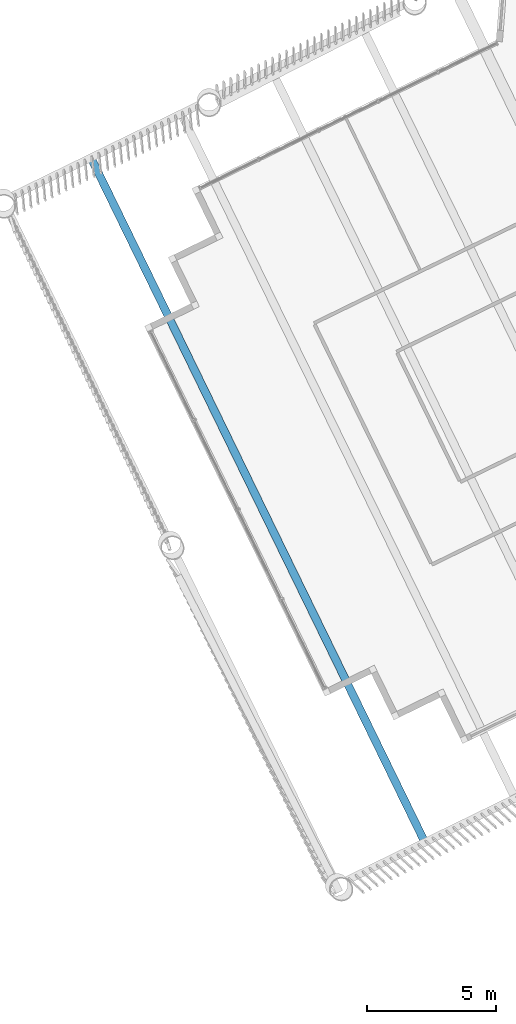
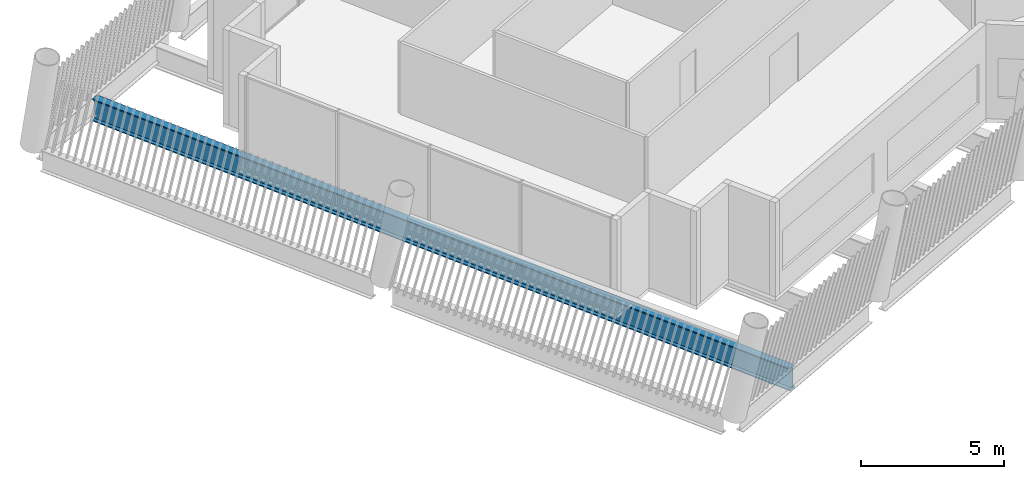
# One storey, part 5 of 31: 1 beam.
"""IFC4 building model written with IfcOpenShell, lengths in metres."""

from ifc_helpers import new_model, si_unit, direction, frame, origin, origin_2d, place, context, subcontext, project, spatial, i_section, extrude, material, material_profile, profile_set, type_object, element, save


model = new_model("IFC4")

# Units and contexts
model_context = context("Model", 3, precision=1e-05, world=origin(), true_north=direction((0.0, 1.0)))
body_context = subcontext(model_context, "Body", "Model", "MODEL_VIEW")
ifc_project = project(units=[si_unit("LENGTHUNIT", "METRE"), si_unit("AREAUNIT", "SQUARE_METRE"), si_unit("VOLUMEUNIT", "CUBIC_METRE"), si_unit("PLANEANGLEUNIT", "RADIAN"), si_unit("MASSUNIT", "GRAM", prefix="KILO")], contexts=[model_context])

# Site, building, storey
site_placement = place(None, origin())
site = spatial("IfcSite", under=ifc_project, at=site_placement, CompositionType="ELEMENT")
building_placement = place(site_placement, origin())
building = spatial("IfcBuilding", under=site, at=building_placement, Name="Tarsis Ring Headquarters", CompositionType="ELEMENT")
storey_placement = place(building_placement, frame((0.0, 0.0, 390.199951171875)))
storey = spatial("IfcBuildingStorey", under=building, at=storey_placement, Name="L92", CompositionType="ELEMENT", Elevation=390.199951171875)

# Beam
ifc_material = material(Name="Structural steel S355", Category="steel")
ifc_material_profile = material_profile(ifc_material, i_section(OverallWidth=0.309814453125, OverallDepth=0.949951171875, WebThickness=0.0244140625, FlangeThickness=0.0439453125, at=origin_2d()), Name="W36x256")
ifc_profile_set = profile_set([ifc_material_profile], Name="Structural steel S355")
beam_type = type_object("IfcBeamType", Name="FB Floor beam W36x256", PredefinedType="JOIST", material=ifc_profile_set)
beam_placement = place(storey_placement, frame((-41.517822265625, -3.84130859375, -0.635009765625), z_axis=(0.438364922436, -0.898797082092, 0.0), x_axis=(0.898797082092, 0.438364922436, 0.0)))
element("IfcBeam", 1, at=beam_placement, inside=storey, type_object=beam_type, Name="Floor beam FB11", PredefinedType="JOIST", context=body_context, shape_type="SweptSolid", body=[
    extrude(i_section(OverallWidth=0.309814453125, OverallDepth=0.949951171875, WebThickness=0.0244140625, FlangeThickness=0.0439453125, at=origin_2d()), origin(), (0.0, 0.0, 1.0), 29.495361328125),
])

save(model, "model.ifc")
